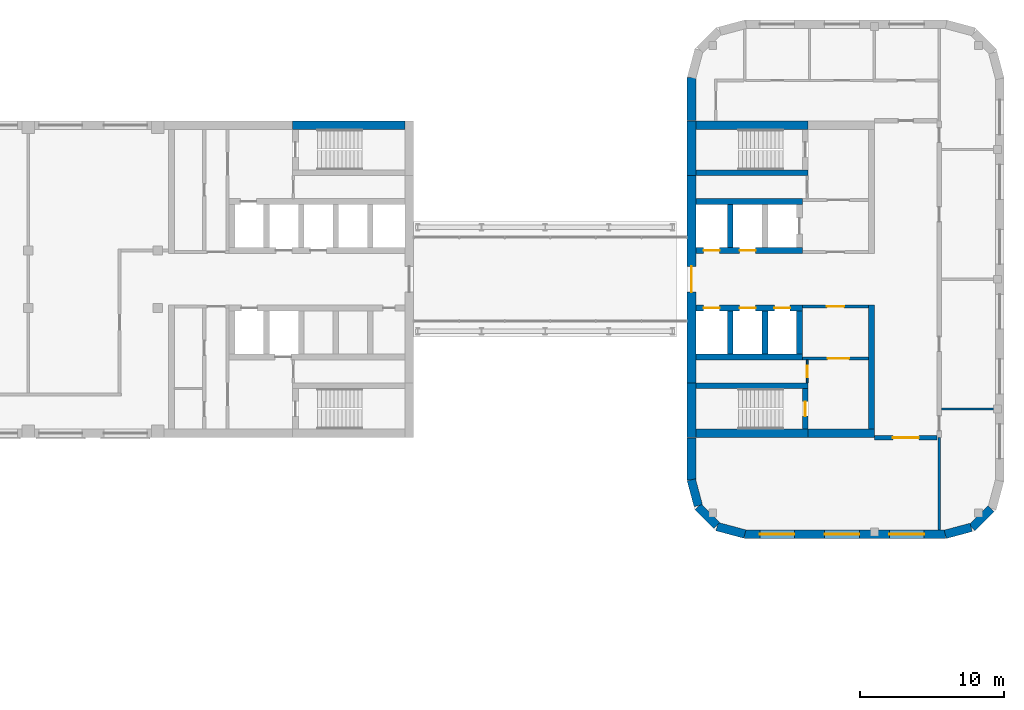
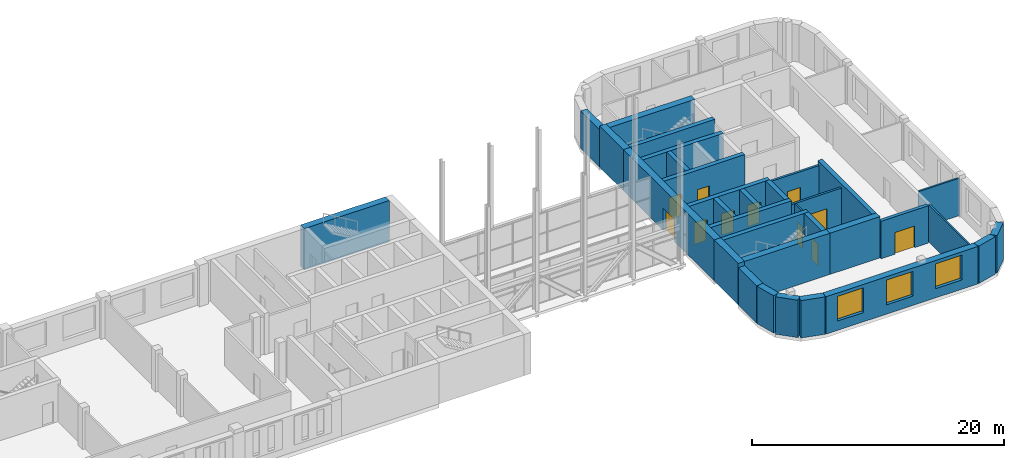
# One storey, part 8 of 11: 33 walls, 11 doors, 3 windows, 14 openings.
"""IFC4 building model written with IfcOpenShell, lengths in metres."""

from ifc_helpers import new_model, si_unit, direction, frame, frame_2d, origin, place, context, subcontext, project, spatial, rectangle, extrude, material, layer, layer_set, type_object, element, fill, save


model = new_model("IFC4")

# Units and contexts
model_context = context("Model", 3, precision=1e-05, world=origin(), true_north=direction((0.0, 1.0)))
body_context = subcontext(model_context, "Body", "Model", "MODEL_VIEW")
ifc_project = project(units=[si_unit("LENGTHUNIT", "METRE"), si_unit("AREAUNIT", "SQUARE_METRE"), si_unit("VOLUMEUNIT", "CUBIC_METRE"), si_unit("PLANEANGLEUNIT", "RADIAN"), si_unit("MASSUNIT", "GRAM", prefix="KILO")], contexts=[model_context])

# Site, building, storey
site_placement = place(None, origin())
site = spatial("IfcSite", under=ifc_project, at=site_placement, CompositionType="ELEMENT")
building_placement = place(site_placement, origin())
building = spatial("IfcBuilding", under=site, at=building_placement, Name="Skarvind Civic Tower", CompositionType="ELEMENT")
storey_placement = place(building_placement, frame((0.0, 0.0, 109.0)))
storey = spatial("IfcBuildingStorey", under=building, at=storey_placement, Name="L25", CompositionType="ELEMENT", Elevation=109.0)

# Wall, opening, door
ifc_material_1 = material(Name="Fire-rated gypsum board on steel studs", Category="steel")
ifc_layer_1 = layer(ifc_material_1, 0.300048828125)
ifc_layer_set_1 = layer_set([ifc_layer_1], Name="CORRIDOR WALL 300")
wall_type_1 = type_object("IfcWallType", Name="CORRIDOR WALL 300", PredefinedType="PARTITIONING", material=ifc_layer_set_1)
wall_1_placement = place(storey_placement, frame((144.35009765625, 117.0, 0.0), z_axis=(0.0, 0.0, 1.0), x_axis=(-1.0, 0.0, 0.0)))
wall_1 = element("IfcWall", 1, at=wall_1_placement, inside=storey, type_object=wall_type_1, Name="Partition 25.009", PredefinedType="PARTITIONING", context=body_context, shape_type="SweptSolid", body=[
    extrude(rectangle(XDim=4.35009765625, YDim=0.300048828125, at=frame_2d((2.175048828125, 0.0))), origin(), (0.0, 0.0, 1.0), 3.625),
])
opening_1_placement = place(wall_1_placement, frame((1.2666015625, 0.0, 0.0)))
opening_1 = element("IfcOpeningElement", 2, at=opening_1_placement, cuts=wall_1, Name="Opening L25-D105", PredefinedType="OPENING", context=body_context, shape_type="SweptSolid", body=[
    extrude(rectangle(XDim=1.800048828125, YDim=2.10009765625, at=frame_2d((0.89990234375, 1.050048828125))), frame((0.0, 0.159912109375, 0.0), z_axis=(0.0, -1.0, 0.0), x_axis=(1.0, 0.0, 0.0)), (0.0, 0.0, 1.0), 0.320068359375),
])
ifc_material_2 = material(Name="Fire-rated timber door leaf", Category="wood")
door_type_1 = type_object("IfcDoorType", Name="FD4 1800x2100", OperationType="NOTDEFINED", PredefinedType="DOOR", material=ifc_material_2)
door_1_placement = place(opening_1_placement, origin())
door_1 = element("IfcDoor", 3, at=door_1_placement, inside=storey, type_object=door_type_1, Name="Door L25-D105", OperationType="DOUBLE_DOOR_SINGLE_SWING", OverallHeight=2.10009765625, OverallWidth=1.800048828125, PredefinedType="DOOR", context=body_context, shape_type="SweptSolid", body=[
    extrude(rectangle(XDim=1.800048828125, YDim=2.10009765625, at=frame_2d((0.89990234375, 1.050048828125))), frame((0.0, 0.02490234375, 0.0), z_axis=(0.0, -1.0, 0.0), x_axis=(1.0, 0.0, 0.0)), (0.0, 0.0, 1.0), 0.050048828125),
])
fill(opening_1, door_1)

ifc_material_3 = material(Name="Fire-rated masonry partition", Category="masonry")
ifc_layer_2 = layer(ifc_material_3, 0.199951171875)
ifc_layer_set_2 = layer_set([ifc_layer_2], Name="Core enclosure wall 200")
wall_type_2 = type_object("IfcWallType", Name="Core enclosure wall 200", PredefinedType="PARTITIONING", material=ifc_layer_set_2)
wall_2_placement = place(storey_placement, frame((139.60009765625, 126.10009765625, 0.0), z_axis=(0.0, 0.0, 1.0), x_axis=(-1.0, 0.0, 0.0)))
wall_2 = element("IfcWall", 4, at=wall_2_placement, inside=storey, type_object=wall_type_2, Name="Core wall CA", PredefinedType="PARTITIONING", context=body_context, shape_type="SweptSolid", body=[
    extrude(rectangle(XDim=4.60009765625, YDim=0.199951171875, at=frame_2d((2.300048828125, 0.0))), origin(), (0.0, 0.0, 1.0), 3.625),
])
opening_2_placement = place(wall_2_placement, frame((1.699951171875, 0.0, 0.0)))
opening_2 = element("IfcOpeningElement", 5, at=opening_2_placement, cuts=wall_2, Name="Opening D-L25-CA-10", PredefinedType="OPENING", context=body_context, shape_type="SweptSolid", body=[
    extrude(rectangle(XDim=1.199951171875, YDim=2.10009765625, at=frame_2d((0.60009765625, 1.050048828125))), frame((0.0, 0.10986328125, 0.0), z_axis=(0.0, -1.0, 0.0), x_axis=(1.0, 0.0, 0.0)), (0.0, 0.0, 1.0), 0.219970703125),
])
ifc_material_4 = material(Name="Fire-rated steel door", Category="steel")
door_type_2 = type_object("IfcDoorType", Name="Core lobby door 1200", OperationType="NOTDEFINED", PredefinedType="DOOR", material=ifc_material_4)
door_2_placement = place(opening_2_placement, origin())
door_2 = element("IfcDoor", 6, at=door_2_placement, inside=storey, type_object=door_type_2, Name="Fire door", OperationType="DOUBLE_DOOR_SINGLE_SWING", OverallHeight=2.10009765625, OverallWidth=1.199951171875, PredefinedType="DOOR", context=body_context, shape_type="SweptSolid", body=[
    extrude(rectangle(XDim=1.199951171875, YDim=2.10009765625, at=frame_2d((0.60009765625, 1.050048828125))), frame((0.0, 0.02490234375, 0.0), z_axis=(0.0, -1.0, 0.0), x_axis=(1.0, 0.0, 0.0)), (0.0, 0.0, 1.0), 0.050048828125),
])
fill(opening_2, door_2)

wall_3_placement = place(storey_placement, frame((139.60009765625, 122.5, 0.0), z_axis=(0.0, 0.0, 1.0), x_axis=(-1.0, 0.0, 0.0)))
wall_3 = element("IfcWall", 7, at=wall_3_placement, inside=storey, type_object=wall_type_2, Name="Core wall CA", PredefinedType="PARTITIONING", context=body_context, shape_type="SweptSolid", body=[
    extrude(rectangle(XDim=4.60009765625, YDim=0.199951171875, at=frame_2d((2.300048828125, 0.0))), origin(), (0.0, 0.0, 1.0), 3.625),
])
opening_3_placement = place(wall_3_placement, frame((1.35009765625, 0.0, 0.0)))
opening_3 = element("IfcOpeningElement", 8, at=opening_3_placement, cuts=wall_3, Name="Opening D-L25-CA-11", PredefinedType="OPENING", context=body_context, shape_type="SweptSolid", body=[
    extrude(rectangle(XDim=1.5, YDim=2.10009765625, at=frame_2d((0.75, 1.050048828125))), frame((0.0, 0.10986328125, 0.0), z_axis=(0.0, -1.0, 0.0), x_axis=(1.0, 0.0, 0.0)), (0.0, 0.0, 1.0), 0.219970703125),
])
door_type_3 = type_object("IfcDoorType", Name="Fire door 1500", OperationType="NOTDEFINED", PredefinedType="DOOR", material=ifc_material_4)
door_3_placement = place(opening_3_placement, origin())
door_3 = element("IfcDoor", 9, at=door_3_placement, inside=storey, type_object=door_type_3, Name="Fire door", OperationType="DOUBLE_DOOR_SINGLE_SWING", OverallHeight=2.10009765625, OverallWidth=1.5, PredefinedType="DOOR", context=body_context, shape_type="SweptSolid", body=[
    extrude(rectangle(XDim=1.5, YDim=2.10009765625, at=frame_2d((0.75, 1.050048828125))), frame((0.0, 0.02490234375, 0.0), z_axis=(0.0, -1.0, 0.0), x_axis=(1.0, 0.0, 0.0)), (0.0, 0.0, 1.0), 0.050048828125),
])
fill(opening_3, door_3)

# Wall
ifc_material_5 = material(Name="Concrete C80", Category="concrete")
ifc_layer_3 = layer(ifc_material_5, 0.39990234375)
ifc_layer_set_3 = layer_set([ifc_layer_3], Name="Core wall 400 C80")
wall_type_3 = type_object("IfcWallType", Name="Core wall 400 C80", PredefinedType="SHEAR", material=ifc_layer_set_3)
wall_4_placement = place(storey_placement, frame((127.60009765625, 120.60009765625, 0.0), z_axis=(0.0, 0.0, 1.0), x_axis=(1.0, 0.0, 0.0)))
element("IfcWall", 10, at=wall_4_placement, inside=storey, type_object=wall_type_3, Name="Core wall CA south stair inner L25", PredefinedType="SHEAR", context=body_context, shape_type="SweptSolid", body=[
    extrude(rectangle(XDim=7.7998046875, YDim=0.39990234375, at=frame_2d((3.89990234375, 0.0))), origin(), (0.0, 0.0, 1.0), 4.0),
])

# Wall, opening, door
wall_5_placement = place(storey_placement, frame((135.199951171875, 117.60009765625, 0.0), z_axis=(0.0, 0.0, 1.0), x_axis=(0.0, 1.0, 0.0)))
wall_5 = element("IfcWall", 11, at=wall_5_placement, inside=storey, type_object=wall_type_3, Name="Core wall CA south stair end L25", PredefinedType="SHEAR", context=body_context, shape_type="SweptSolid", body=[
    extrude(rectangle(XDim=2.7998046875, YDim=0.39990234375, at=frame_2d((1.39990234375, 0.0))), origin(), (0.0, 0.0, 1.0), 4.0),
])
opening_4_placement = place(wall_5_placement, frame((0.89990234375, 0.0, 0.0)))
opening_4 = element("IfcOpeningElement", 12, at=opening_4_placement, cuts=wall_5, Name="Opening D-L25-CA-12", PredefinedType="OPENING", context=body_context, shape_type="SweptSolid", body=[
    extrude(rectangle(XDim=1.0, YDim=2.10009765625, at=frame_2d((0.5, 1.050048828125))), frame((0.0, 0.2099609375, 0.0), z_axis=(0.0, -1.0, 0.0), x_axis=(1.0, 0.0, 0.0)), (0.0, 0.0, 1.0), 0.419921875),
])
door_type_4 = type_object("IfcDoorType", Name="Fire door 1000", OperationType="NOTDEFINED", PredefinedType="DOOR", material=ifc_material_4)
door_4_placement = place(opening_4_placement, origin())
door_4 = element("IfcDoor", 13, at=door_4_placement, inside=storey, type_object=door_type_4, Name="Fire door", OperationType="SINGLE_SWING_RIGHT", OverallHeight=2.10009765625, OverallWidth=1.0, PredefinedType="DOOR", context=body_context, shape_type="SweptSolid", body=[
    extrude(rectangle(XDim=1.0, YDim=2.10009765625, at=frame_2d((0.5, 1.050048828125))), frame((0.0, 0.02490234375, 0.0), z_axis=(0.0, -1.0, 0.0), x_axis=(1.0, 0.0, 0.0)), (0.0, 0.0, 1.0), 0.050048828125),
])
fill(opening_4, door_4)

# Wall
wall_6_placement = place(storey_placement, frame((127.60009765625, 135.39990234375, 0.0), z_axis=(0.0, 0.0, 1.0), x_axis=(1.0, 0.0, 0.0)))
element("IfcWall", 14, at=wall_6_placement, inside=storey, type_object=wall_type_3, Name="Core wall CA north stair inner L25", PredefinedType="SHEAR", context=body_context, shape_type="SweptSolid", body=[
    extrude(rectangle(XDim=7.7998046875, YDim=0.39990234375, at=frame_2d((3.89990234375, 0.0))), origin(), (0.0, 0.0, 1.0), 4.0),
])

# Wall, openings, doors
wall_7_placement = place(storey_placement, frame((127.60009765625, 126.0, 0.0), z_axis=(0.0, 0.0, 1.0), x_axis=(1.0, 0.0, 0.0)))
wall_7 = element("IfcWall", 15, at=wall_7_placement, inside=storey, type_object=wall_type_3, Name="Core wall CA south lift row front L25", PredefinedType="SHEAR", context=body_context, shape_type="SweptSolid", body=[
    extrude(rectangle(XDim=7.39990234375, YDim=0.39990234375, at=frame_2d((3.699951171875, 0.0))), origin(), (0.0, 0.0, 1.0), 4.0),
])
opening_5_placement = place(wall_7_placement, frame((0.550048828125, 0.0, 0.0)))
opening_5 = element("IfcOpeningElement", 16, at=opening_5_placement, cuts=wall_7, Name="Opening LD27304", PredefinedType="OPENING", context=body_context, shape_type="SweptSolid", body=[
    extrude(rectangle(XDim=1.10009765625, YDim=2.10009765625, at=frame_2d((0.550048828125, 1.050048828125))), frame((0.0, 0.2099609375, 0.0), z_axis=(0.0, -1.0, 0.0), x_axis=(1.0, 0.0, 0.0)), (0.0, 0.0, 1.0), 0.419921875),
])
opening_6_placement = place(wall_7_placement, frame((3.050048828125, 0.0, 0.0)))
opening_6 = element("IfcOpeningElement", 17, at=opening_6_placement, cuts=wall_7, Name="Opening LD27305", PredefinedType="OPENING", context=body_context, shape_type="SweptSolid", body=[
    extrude(rectangle(XDim=1.10009765625, YDim=2.10009765625, at=frame_2d((0.550048828125, 1.050048828125))), frame((0.0, 0.2099609375, 0.0), z_axis=(0.0, -1.0, 0.0), x_axis=(1.0, 0.0, 0.0)), (0.0, 0.0, 1.0), 0.419921875),
])
opening_7_placement = place(wall_7_placement, frame((5.449951171875, 0.0, 0.0)))
opening_7 = element("IfcOpeningElement", 18, at=opening_7_placement, cuts=wall_7, Name="Opening LD27306", PredefinedType="OPENING", context=body_context, shape_type="SweptSolid", body=[
    extrude(rectangle(XDim=1.10009765625, YDim=2.10009765625, at=frame_2d((0.550048828125, 1.050048828125))), frame((0.0, 0.2099609375, 0.0), z_axis=(0.0, -1.0, 0.0), x_axis=(1.0, 0.0, 0.0)), (0.0, 0.0, 1.0), 0.419921875),
])
ifc_material_6 = material(Name="Stainless steel landing door", Category="steel")
door_type_5 = type_object("IfcDoorType", Name="Lift landing door 1100", OperationType="DOUBLE_DOOR_SLIDING", PredefinedType="DOOR", material=ifc_material_6)
door_5_placement = place(opening_5_placement, origin())
door_5 = element("IfcDoor", 19, at=door_5_placement, inside=storey, type_object=door_type_5, Name="Lift landing door", OperationType="DOUBLE_DOOR_SLIDING", OverallHeight=2.10009765625, OverallWidth=1.10009765625, PredefinedType="DOOR", context=body_context, shape_type="SweptSolid", body=[
    extrude(rectangle(XDim=1.10009765625, YDim=2.10009765625, at=frame_2d((0.550048828125, 1.050048828125))), frame((0.0, 0.02490234375, 0.0), z_axis=(0.0, -1.0, 0.0), x_axis=(1.0, 0.0, 0.0)), (0.0, 0.0, 1.0), 0.050048828125),
])
fill(opening_5, door_5)
door_6_placement = place(opening_6_placement, origin())
door_6 = element("IfcDoor", 20, at=door_6_placement, inside=storey, type_object=door_type_5, Name="Lift landing door", OperationType="DOUBLE_DOOR_SLIDING", OverallHeight=2.10009765625, OverallWidth=1.10009765625, PredefinedType="DOOR", context=body_context, shape_type="SweptSolid", body=[
    extrude(rectangle(XDim=1.10009765625, YDim=2.10009765625, at=frame_2d((0.550048828125, 1.050048828125))), frame((0.0, 0.02490234375, 0.0), z_axis=(0.0, -1.0, 0.0), x_axis=(1.0, 0.0, 0.0)), (0.0, 0.0, 1.0), 0.050048828125),
])
fill(opening_6, door_6)
door_7_placement = place(opening_7_placement, origin())
door_7 = element("IfcDoor", 21, at=door_7_placement, inside=storey, type_object=door_type_5, Name="Lift landing door", OperationType="DOUBLE_DOOR_SLIDING", OverallHeight=2.10009765625, OverallWidth=1.10009765625, PredefinedType="DOOR", context=body_context, shape_type="SweptSolid", body=[
    extrude(rectangle(XDim=1.10009765625, YDim=2.10009765625, at=frame_2d((0.550048828125, 1.050048828125))), frame((0.0, 0.02490234375, 0.0), z_axis=(0.0, -1.0, 0.0), x_axis=(1.0, 0.0, 0.0)), (0.0, 0.0, 1.0), 0.050048828125),
])
fill(opening_7, door_7)

# Walls
wall_8_placement = place(storey_placement, frame((127.60009765625, 122.60009765625, 0.0), z_axis=(0.0, 0.0, 1.0), x_axis=(1.0, 0.0, 0.0)))
element("IfcWall", 22, at=wall_8_placement, inside=storey, type_object=wall_type_3, Name="Core wall CA south lift row back L25", PredefinedType="SHEAR", context=body_context, shape_type="SweptSolid", body=[
    extrude(rectangle(XDim=7.39990234375, YDim=0.39990234375, at=frame_2d((3.699951171875, 0.0))), origin(), (0.0, 0.0, 1.0), 4.0),
])
for number, where, z_axis, x_axis, name in (
    (23, (130.0, 122.800048828125, 0.0), (0.0, 0.0, 1.0), (0.0, 1.0, 0.0), "Core wall CA south lift row division 1 L25"),
    (24, (132.39990234375, 122.800048828125, 0.0), (0.0, 0.0, 1.0), (0.0, 1.0, 0.0), "Core wall CA south lift row division 2 L25"),
    (25, (134.800048828125, 122.800048828125, 0.0), (0.0, 0.0, 1.0), (0.0, 1.0, 0.0), "Core wall CA south lift row division 3 L25"),
):
    element("IfcWall", number, at=place(storey_placement, frame(where, z_axis=z_axis, x_axis=x_axis)), inside=storey, type_object=wall_type_3, Name=name, PredefinedType="SHEAR", context=body_context, shape_type="SweptSolid", body=[
        extrude(rectangle(XDim=3.0, YDim=0.39990234375, at=frame_2d((1.5, 0.0))), origin(), (0.0, 0.0, 1.0), 4.0),
    ])

# Wall, openings, doors
wall_9_placement = place(storey_placement, frame((127.60009765625, 130.0, 0.0), z_axis=(0.0, 0.0, 1.0), x_axis=(1.0, 0.0, 0.0)))
wall_9 = element("IfcWall", 26, at=wall_9_placement, inside=storey, type_object=wall_type_3, Name="Core wall CA north lift row front L25", PredefinedType="SHEAR", context=body_context, shape_type="SweptSolid", body=[
    extrude(rectangle(XDim=7.39990234375, YDim=0.39990234375, at=frame_2d((3.699951171875, 0.0))), origin(), (0.0, 0.0, 1.0), 4.0),
])
opening_8_placement = place(wall_9_placement, frame((0.550048828125, 0.0, 0.0)))
opening_8 = element("IfcOpeningElement", 27, at=opening_8_placement, cuts=wall_9, Name="Opening LD27301", PredefinedType="OPENING", context=body_context, shape_type="SweptSolid", body=[
    extrude(rectangle(XDim=1.10009765625, YDim=2.10009765625, at=frame_2d((0.550048828125, 1.050048828125))), frame((0.0, 0.2099609375, 0.0), z_axis=(0.0, -1.0, 0.0), x_axis=(1.0, 0.0, 0.0)), (0.0, 0.0, 1.0), 0.419921875),
])
opening_9_placement = place(wall_9_placement, frame((3.050048828125, 0.0, 0.0)))
opening_9 = element("IfcOpeningElement", 28, at=opening_9_placement, cuts=wall_9, Name="Opening LD27302", PredefinedType="OPENING", context=body_context, shape_type="SweptSolid", body=[
    extrude(rectangle(XDim=1.10009765625, YDim=2.10009765625, at=frame_2d((0.550048828125, 1.050048828125))), frame((0.0, 0.2099609375, 0.0), z_axis=(0.0, -1.0, 0.0), x_axis=(1.0, 0.0, 0.0)), (0.0, 0.0, 1.0), 0.419921875),
])
door_8_placement = place(opening_8_placement, origin())
door_8 = element("IfcDoor", 29, at=door_8_placement, inside=storey, type_object=door_type_5, Name="Lift landing door", OperationType="DOUBLE_DOOR_SLIDING", OverallHeight=2.10009765625, OverallWidth=1.10009765625, PredefinedType="DOOR", context=body_context, shape_type="SweptSolid", body=[
    extrude(rectangle(XDim=1.10009765625, YDim=2.10009765625, at=frame_2d((0.550048828125, 1.050048828125))), frame((0.0, 0.02490234375, 0.0), z_axis=(0.0, -1.0, 0.0), x_axis=(1.0, 0.0, 0.0)), (0.0, 0.0, 1.0), 0.050048828125),
])
fill(opening_8, door_8)
door_9_placement = place(opening_9_placement, origin())
door_9 = element("IfcDoor", 30, at=door_9_placement, inside=storey, type_object=door_type_5, Name="Lift landing door", OperationType="DOUBLE_DOOR_SLIDING", OverallHeight=2.10009765625, OverallWidth=1.10009765625, PredefinedType="DOOR", context=body_context, shape_type="SweptSolid", body=[
    extrude(rectangle(XDim=1.10009765625, YDim=2.10009765625, at=frame_2d((0.550048828125, 1.050048828125))), frame((0.0, 0.02490234375, 0.0), z_axis=(0.0, -1.0, 0.0), x_axis=(1.0, 0.0, 0.0)), (0.0, 0.0, 1.0), 0.050048828125),
])
fill(opening_9, door_9)

# Walls
wall_10_placement = place(storey_placement, frame((127.60009765625, 133.39990234375, 0.0), z_axis=(0.0, 0.0, 1.0), x_axis=(1.0, 0.0, 0.0)))
element("IfcWall", 31, at=wall_10_placement, inside=storey, type_object=wall_type_3, Name="Core wall CA north lift row back L25", PredefinedType="SHEAR", context=body_context, shape_type="SweptSolid", body=[
    extrude(rectangle(XDim=7.39990234375, YDim=0.39990234375, at=frame_2d((3.699951171875, 0.0))), origin(), (0.0, 0.0, 1.0), 4.0),
])
wall_11_placement = place(storey_placement, frame((130.0, 130.199951171875, 0.0), z_axis=(0.0, 0.0, 1.0), x_axis=(0.0, 1.0, 0.0)))
element("IfcWall", 32, at=wall_11_placement, inside=storey, type_object=wall_type_3, Name="Core wall CA north lift row division 1 L25", PredefinedType="SHEAR", context=body_context, shape_type="SweptSolid", body=[
    extrude(rectangle(XDim=3.0, YDim=0.39990234375, at=frame_2d((1.5, 0.0))), origin(), (0.0, 0.0, 1.0), 4.0),
])
wall_12_placement = place(storey_placement, frame((139.800048828125, 117.60009765625, 0.0), z_axis=(0.0, 0.0, 1.0), x_axis=(0.0, 1.0, 0.0)))
element("IfcWall", 33, at=wall_12_placement, inside=storey, type_object=wall_type_3, Name="Core wall CA south inner face L25", PredefinedType="SHEAR", context=body_context, shape_type="SweptSolid", body=[
    extrude(rectangle(XDim=8.599853515625, YDim=0.39990234375, at=frame_2d((4.2998046875, 0.0))), origin(), (0.0, 0.0, 1.0), 4.0),
])
ifc_layer_4 = layer(ifc_material_5, 0.60009765625)
ifc_layer_set_4 = layer_set([ifc_layer_4], Name="Core wall 600 C80")
wall_type_4 = type_object("IfcWallType", Name="Core wall 600 C80", PredefinedType="SHEAR", material=ifc_layer_set_4)
wall_13_placement = place(storey_placement, frame((107.39990234375, 138.699951171875, 0.0), z_axis=(0.0, 0.0, 1.0), x_axis=(-1.0, 0.0, 0.0)))
element("IfcWall", 34, at=wall_13_placement, inside=storey, type_object=wall_type_4, Name="Core wall C1 south side at the stair L25", PredefinedType="SHEAR", context=body_context, shape_type="SweptSolid", body=[
    extrude(rectangle(XDim=7.7998046875, YDim=0.60009765625, at=frame_2d((3.89990234375, 0.0))), origin(), (0.0, 0.0, 1.0), 4.0),
])
wall_14_placement = place(storey_placement, frame((127.300048828125, 117.0, 0.0), z_axis=(0.0, 0.0, 1.0), x_axis=(0.0, 1.0, 0.0)))
element("IfcWall", 35, at=wall_14_placement, inside=storey, type_object=wall_type_4, Name="Core wall CA tip at the south stair L25", PredefinedType="SHEAR", context=body_context, shape_type="SweptSolid", body=[
    extrude(rectangle(XDim=3.800048828125, YDim=0.60009765625, at=frame_2d((1.89990234375, 0.0))), origin(), (0.0, 0.0, 1.0), 4.0),
])

# Wall, opening, door
wall_15_placement = place(storey_placement, frame((127.300048828125, 120.800048828125, 0.0), z_axis=(0.0, 0.0, 1.0), x_axis=(0.0, 1.0, 0.0)))
wall_15 = element("IfcWall", 36, at=wall_15_placement, inside=storey, type_object=wall_type_4, Name="Core wall CA tip between the stairs L25", PredefinedType="SHEAR", context=body_context, shape_type="SweptSolid", body=[
    extrude(rectangle(XDim=14.39990234375, YDim=0.60009765625, at=frame_2d((7.199951171875, 0.0))), origin(), (0.0, 0.0, 1.0), 4.0),
])
opening_10_placement = place(wall_15_placement, frame((6.300048828125, 0.0, 0.0)))
opening_10 = element("IfcOpeningElement", 37, at=opening_10_placement, cuts=wall_15, Name="Opening D-L25-CA-15", PredefinedType="OPENING", context=body_context, shape_type="SweptSolid", body=[
    extrude(rectangle(XDim=1.800048828125, YDim=2.10009765625, at=frame_2d((0.89990234375, 1.050048828125))), frame((0.0, 0.31005859375, 0.0), z_axis=(0.0, -1.0, 0.0), x_axis=(1.0, 0.0, 0.0)), (0.0, 0.0, 1.0), 0.6201171875),
])
door_type_6 = type_object("IfcDoorType", Name="Fire door pair 1800", OperationType="NOTDEFINED", PredefinedType="DOOR", material=ifc_material_4)
door_10_placement = place(opening_10_placement, origin())
door_10 = element("IfcDoor", 38, at=door_10_placement, inside=storey, type_object=door_type_6, Name="Bridge door", OperationType="DOUBLE_DOOR_SINGLE_SWING", OverallHeight=2.10009765625, OverallWidth=1.800048828125, PredefinedType="DOOR", context=body_context, shape_type="SweptSolid", body=[
    extrude(rectangle(XDim=1.800048828125, YDim=2.10009765625, at=frame_2d((0.89990234375, 1.050048828125))), frame((0.0, 0.02490234375, 0.0), z_axis=(0.0, -1.0, 0.0), x_axis=(1.0, 0.0, 0.0)), (0.0, 0.0, 1.0), 0.050048828125),
])
fill(opening_10, door_10)

# Walls
wall_16_placement = place(storey_placement, frame((127.300048828125, 135.199951171875, 0.0), z_axis=(0.0, 0.0, 1.0), x_axis=(0.0, 1.0, 0.0)))
element("IfcWall", 39, at=wall_16_placement, inside=storey, type_object=wall_type_4, Name="Core wall CA tip at the north stair L25", PredefinedType="SHEAR", context=body_context, shape_type="SweptSolid", body=[
    extrude(rectangle(XDim=3.800048828125, YDim=0.60009765625, at=frame_2d((1.89990234375, 0.0))), origin(), (0.0, 0.0, 1.0), 4.0),
])
for number, where, z_axis, x_axis, name in (
    (40, (127.60009765625, 117.300048828125, 0.0), (0.0, 0.0, 1.0), (1.0, 0.0, 0.0), "Core wall CA south side at the stair L25"),
    (41, (127.60009765625, 138.699951171875, 0.0), (0.0, 0.0, 1.0), (1.0, 0.0, 0.0), "Core wall CA north side at the stair L25"),
):
    element("IfcWall", number, at=place(storey_placement, frame(where, z_axis=z_axis, x_axis=x_axis)), inside=storey, type_object=wall_type_4, Name=name, PredefinedType="SHEAR", context=body_context, shape_type="SweptSolid", body=[
        extrude(rectangle(XDim=7.7998046875, YDim=0.60009765625, at=frame_2d((3.89990234375, 0.0))), origin(), (0.0, 0.0, 1.0), 4.0),
    ])
wall_17_placement = place(storey_placement, frame((135.39990234375, 117.300048828125, 0.0), z_axis=(0.0, 0.0, 1.0), x_axis=(1.0, 0.0, 0.0)))
element("IfcWall", 42, at=wall_17_placement, inside=storey, type_object=wall_type_4, Name="Core wall CA south side L25", PredefinedType="SHEAR", context=body_context, shape_type="SweptSolid", body=[
    extrude(rectangle(XDim=4.60009765625, YDim=0.60009765625, at=frame_2d((2.300048828125, 0.0))), origin(), (0.0, 0.0, 1.0), 4.0),
])
ifc_material_7 = material(Name="Plasterboard partition on steel studs", Category="steel")
ifc_layer_5 = layer(ifc_material_7, 0.14990234375)
ifc_layer_set_5 = layer_set([ifc_layer_5], Name="PARTITION 150")
wall_type_5 = type_object("IfcWallType", Name="PARTITION 150", PredefinedType="PARTITIONING", material=ifc_layer_set_5)
wall_18_placement = place(storey_placement, frame((144.5, 117.0, 0.0), z_axis=(0.0, 0.0, 1.0), x_axis=(0.0, -1.0, 0.0)))
element("IfcWall", 43, at=wall_18_placement, inside=storey, type_object=wall_type_5, Name="Partition 25.010", PredefinedType="PARTITIONING", context=body_context, shape_type="SweptSolid", body=[
    extrude(rectangle(XDim=6.39990234375, YDim=0.14990234375, at=frame_2d((3.199951171875, 0.0))), origin(), (0.0, 0.0, 1.0), 3.625),
])
wall_19_placement = place(storey_placement, frame((144.64990234375, 119.0, 0.0), z_axis=(0.0, 0.0, 1.0), x_axis=(1.0, 0.0, 0.0)))
element("IfcWall", 44, at=wall_19_placement, inside=storey, type_object=wall_type_5, Name="Partition 25.011", PredefinedType="PARTITIONING", context=body_context, shape_type="SweptSolid", body=[
    extrude(rectangle(XDim=3.75, YDim=0.14990234375, at=frame_2d((1.875, 0.0))), origin(), (0.0, 0.0, 1.0), 3.625),
])

# Wall, opening, door
ifc_layer_6 = layer(ifc_material_3, 0.125)
ifc_layer_set_6 = layer_set([ifc_layer_6], Name="Riser wall 125")
wall_type_6 = type_object("IfcWallType", Name="Riser wall 125", PredefinedType="PARTITIONING", material=ifc_layer_set_6)
wall_20_placement = place(storey_placement, frame((135.33740234375, 122.39990234375, 0.0), z_axis=(0.0, 0.0, 1.0), x_axis=(0.0, -1.0, 0.0)))
wall_20 = element("IfcWall", 45, at=wall_20_placement, inside=storey, type_object=wall_type_6, Name="Core wall CA", PredefinedType="PARTITIONING", context=body_context, shape_type="SweptSolid", body=[
    extrude(rectangle(XDim=1.599853515625, YDim=0.125, at=frame_2d((0.7998046875, 0.0))), origin(), (0.0, 0.0, 1.0), 3.625),
])
opening_11_placement = place(wall_20_placement, frame((0.39990234375, 0.0, 0.0)))
opening_11 = element("IfcOpeningElement", 46, at=opening_11_placement, cuts=wall_20, Name="Opening D-L25-CA-13", PredefinedType="OPENING", context=body_context, shape_type="SweptSolid", body=[
    extrude(rectangle(XDim=0.800048828125, YDim=2.10009765625, at=frame_2d((0.39990234375, 1.050048828125))), frame((0.0, 0.072509765625, 0.0), z_axis=(0.0, -1.0, 0.0), x_axis=(1.0, 0.0, 0.0)), (0.0, 0.0, 1.0), 0.14501953125),
])
door_type_7 = type_object("IfcDoorType", Name="Core riser door 800", OperationType="NOTDEFINED", PredefinedType="DOOR", material=ifc_material_4)
door_11_placement = place(opening_11_placement, origin())
door_11 = element("IfcDoor", 47, at=door_11_placement, inside=storey, type_object=door_type_7, Name="Riser door", OperationType="SINGLE_SWING_LEFT", OverallHeight=2.10009765625, OverallWidth=0.800048828125, PredefinedType="DOOR", context=body_context, shape_type="SweptSolid", body=[
    extrude(rectangle(XDim=0.800048828125, YDim=2.10009765625, at=frame_2d((0.39990234375, 1.050048828125))), frame((0.0, 0.02490234375, 0.0), z_axis=(0.0, -1.0, 0.0), x_axis=(1.0, 0.0, 0.0)), (0.0, 0.0, 1.0), 0.050048828125),
])
fill(opening_11, door_11)

# Walls
ifc_material_8 = material(Name="Limestone masonry cladding on insulated backing", Category="masonry")
ifc_layer_7 = layer(ifc_material_8, 0.60009765625)
ifc_layer_set_7 = layer_set([ifc_layer_7], Name="WX1 STONE FACADE WALL 600")
wall_type_7 = type_object("IfcWallType", Name="WX1 STONE FACADE WALL 600", PredefinedType="SOLIDWALL", material=ifc_layer_set_7)
wall_21_placement = place(storey_placement, frame((127.300048828125, 139.02001953125, 0.0), z_axis=(0.0, 0.0, 1.0), x_axis=(0.0, 1.0, 0.0)))
element("IfcWall", 48, at=wall_21_placement, inside=storey, type_object=wall_type_7, Name="STONE FACADE WALL", PredefinedType="SOLIDWALL", context=body_context, shape_type="SweptSolid", body=[
    extrude(rectangle(XDim=2.97998046875, YDim=0.60009765625, at=frame_2d((1.489990234375, 0.0))), origin(), (0.0, 0.0, 1.0), 3.625),
])
wall_22_placement = place(storey_placement, frame((127.300048828125, 114.070068359375, 0.0), z_axis=(0.0, 0.0, 1.0), x_axis=(0.0, 1.0, 0.0)))
element("IfcWall", 49, at=wall_22_placement, inside=storey, type_object=wall_type_7, Name="STONE FACADE WALL", PredefinedType="SOLIDWALL", context=body_context, shape_type="SweptSolid", body=[
    extrude(rectangle(XDim=2.909912109375, YDim=0.60009765625, at=frame_2d((1.455078125, 0.0))), origin(), (0.0, 0.0, 1.0), 3.625),
])
for number, where, z_axis, x_axis, name in (
    (50, (127.771240234375, 112.280517578125, 0.0), (0.0, 0.0, 1.0), (-0.258773254036, 0.965938094805, 0.0), "STONE FACADE WALL"),
    (51, (129.063720703125, 110.896484375, 0.0), (0.0, 0.0, 1.0), (-0.707106781187, 0.707106781187, 0.0), "STONE FACADE WALL"),
):
    element("IfcWall", number, at=place(storey_placement, frame(where, z_axis=z_axis, x_axis=x_axis)), inside=storey, type_object=wall_type_7, Name=name, PredefinedType="SOLIDWALL", context=body_context, shape_type="SweptSolid", body=[
        extrude(rectangle(XDim=1.860595703125, YDim=0.60009765625, at=frame_2d((0.93017578125, 0.0))), origin(), (0.0, 0.0, 1.0), 3.625),
    ])
wall_23_placement = place(storey_placement, frame((131.010009765625, 110.307861328125, 0.0), z_axis=(0.0, 0.0, 1.0), x_axis=(-0.965920269068, 0.258839784042, 0.0)))
element("IfcWall", 52, at=wall_23_placement, inside=storey, type_object=wall_type_7, Name="STONE FACADE WALL", PredefinedType="SOLIDWALL", context=body_context, shape_type="SweptSolid", body=[
    extrude(rectangle(XDim=2.00048828125, YDim=0.60009765625, at=frame_2d((1.000244140625, 0.0))), origin(), (0.0, 0.0, 1.0), 3.625),
])

# Wall, openings, windows
wall_24_placement = place(storey_placement, frame((144.929931640625, 110.300048828125, 0.0), z_axis=(0.0, 0.0, 1.0), x_axis=(-1.0, 0.0, 0.0)))
wall_24 = element("IfcWall", 53, at=wall_24_placement, inside=storey, type_object=wall_type_7, Name="STONE FACADE WALL", PredefinedType="SOLIDWALL", context=body_context, shape_type="SweptSolid", body=[
    extrude(rectangle(XDim=13.929931640625, YDim=0.60009765625, at=frame_2d((6.96484375, 0.0))), origin(), (0.0, 0.0, 1.0), 3.625),
])
opening_12_placement = place(wall_24_placement, frame((1.47998046875, 0.0, 0.89990234375)))
opening_12 = element("IfcOpeningElement", 54, at=opening_12_placement, cuts=wall_24, Name="Opening WN9", PredefinedType="OPENING", context=body_context, shape_type="SweptSolid", body=[
    extrude(rectangle(XDim=2.39990234375, YDim=2.39990234375, at=frame_2d((1.199951171875, 1.199951171875))), frame((0.0, 0.31005859375, 0.0), z_axis=(0.0, -1.0, 0.0), x_axis=(1.0, 0.0, 0.0)), (0.0, 0.0, 1.0), 0.6201171875),
])
opening_13_placement = place(wall_24_placement, frame((5.97998046875, 0.0, 0.89990234375)))
opening_13 = element("IfcOpeningElement", 55, at=opening_13_placement, cuts=wall_24, Name="Opening WN9", PredefinedType="OPENING", context=body_context, shape_type="SweptSolid", body=[
    extrude(rectangle(XDim=2.39990234375, YDim=2.39990234375, at=frame_2d((1.199951171875, 1.199951171875))), frame((0.0, 0.31005859375, 0.0), z_axis=(0.0, -1.0, 0.0), x_axis=(1.0, 0.0, 0.0)), (0.0, 0.0, 1.0), 0.6201171875),
])
opening_14_placement = place(wall_24_placement, frame((10.47998046875, 0.0, 0.89990234375)))
opening_14 = element("IfcOpeningElement", 56, at=opening_14_placement, cuts=wall_24, Name="Opening WN9", PredefinedType="OPENING", context=body_context, shape_type="SweptSolid", body=[
    extrude(rectangle(XDim=2.39990234375, YDim=2.39990234375, at=frame_2d((1.199951171875, 1.199951171875))), frame((0.0, 0.31005859375, 0.0), z_axis=(0.0, -1.0, 0.0), x_axis=(1.0, 0.0, 0.0)), (0.0, 0.0, 1.0), 0.6201171875),
])
ifc_material_9 = material(Name="Timber frame, double glazing, timber-lined reveal", Category="wood")
window_type = type_object("IfcWindowType", Name="WN9 COMPANION TOWER WINDOW 2400 x 2400", PartitioningType="SINGLE_PANEL", PredefinedType="WINDOW", material=ifc_material_9)
window_1_placement = place(opening_12_placement, origin())
window_1 = element("IfcWindow", 57, at=window_1_placement, inside=storey, type_object=window_type, Name="WN9 WINDOW", OverallHeight=2.39990234375, OverallWidth=2.39990234375, PartitioningType="SINGLE_PANEL", PredefinedType="WINDOW", context=body_context, shape_type="SweptSolid", body=[
    extrude(rectangle(XDim=2.39990234375, YDim=2.39990234375, at=frame_2d((1.199951171875, 1.199951171875))), frame((0.0, 0.030029296875, 0.0), z_axis=(0.0, -1.0, 0.0), x_axis=(1.0, 0.0, 0.0)), (0.0, 0.0, 1.0), 0.06005859375),
])
fill(opening_12, window_1)
window_2_placement = place(opening_13_placement, origin())
window_2 = element("IfcWindow", 58, at=window_2_placement, inside=storey, type_object=window_type, Name="WN9 WINDOW", OverallHeight=2.39990234375, OverallWidth=2.39990234375, PartitioningType="SINGLE_PANEL", PredefinedType="WINDOW", context=body_context, shape_type="SweptSolid", body=[
    extrude(rectangle(XDim=2.39990234375, YDim=2.39990234375, at=frame_2d((1.199951171875, 1.199951171875))), frame((0.0, 0.030029296875, 0.0), z_axis=(0.0, -1.0, 0.0), x_axis=(1.0, 0.0, 0.0)), (0.0, 0.0, 1.0), 0.06005859375),
])
fill(opening_13, window_2)
window_3_placement = place(opening_14_placement, origin())
window_3 = element("IfcWindow", 59, at=window_3_placement, inside=storey, type_object=window_type, Name="WN9 WINDOW", OverallHeight=2.39990234375, OverallWidth=2.39990234375, PartitioningType="SINGLE_PANEL", PredefinedType="WINDOW", context=body_context, shape_type="SweptSolid", body=[
    extrude(rectangle(XDim=2.39990234375, YDim=2.39990234375, at=frame_2d((1.199951171875, 1.199951171875))), frame((0.0, 0.030029296875, 0.0), z_axis=(0.0, -1.0, 0.0), x_axis=(1.0, 0.0, 0.0)), (0.0, 0.0, 1.0), 0.06005859375),
])
fill(opening_14, window_3)

# Walls
for number, where, z_axis, x_axis, name in (
    (60, (146.719482421875, 110.771240234375, 0.0), (0.0, 0.0, 1.0), (-0.965938094805, -0.258773254036, 0.0), "STONE FACADE WALL"),
    (61, (148.103515625, 112.063720703125, 0.0), (0.0, 0.0, 1.0), (-0.707106781187, -0.707106781187, 0.0), "STONE FACADE WALL"),
):
    element("IfcWall", number, at=place(storey_placement, frame(where, z_axis=z_axis, x_axis=x_axis)), inside=storey, type_object=wall_type_7, Name=name, PredefinedType="SOLIDWALL", context=body_context, shape_type="SweptSolid", body=[
        extrude(rectangle(XDim=1.860595703125, YDim=0.60009765625, at=frame_2d((0.93017578125, 0.0))), origin(), (0.0, 0.0, 1.0), 3.625),
    ])

save(model, "model.ifc")
